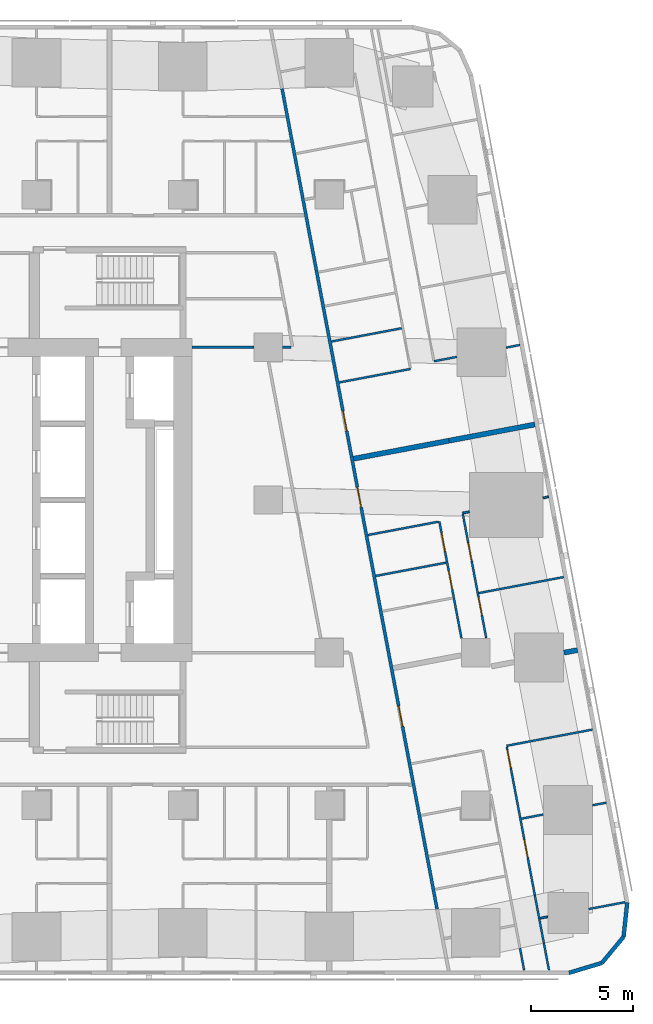
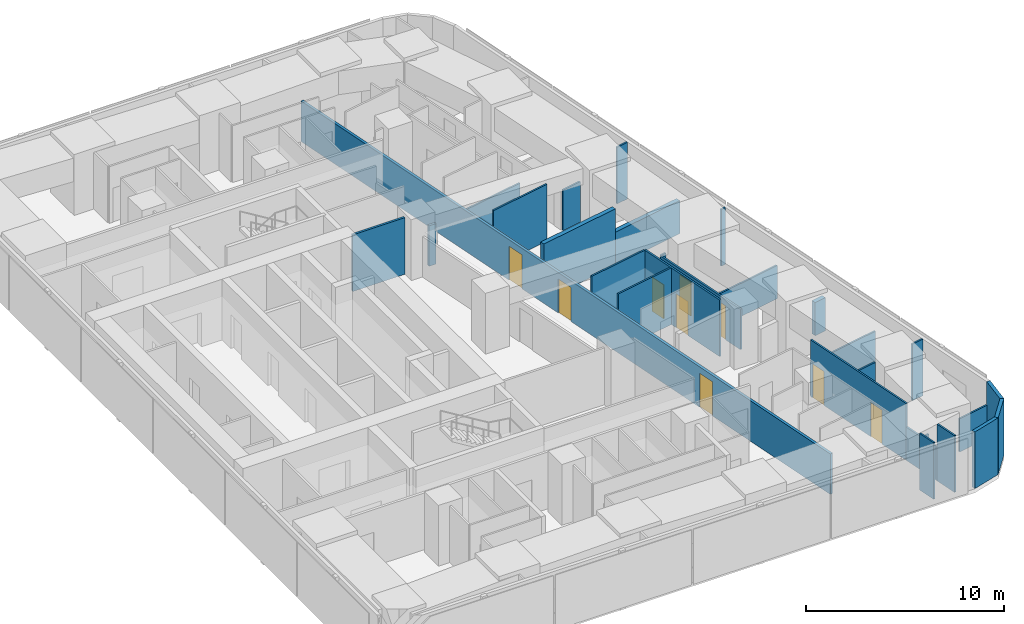
# One storey, part 5 of 10: 29 walls, 9 doors, 9 openings.
"""IFC4 building model written with IfcOpenShell, lengths in metres."""

from ifc_helpers import new_model, si_unit, direction, frame, frame_2d, origin, place, context, subcontext, project, spatial, rectangle, extrude, material, layer, layer_set, type_object, element, fill, save


model = new_model("IFC4")

# Units and contexts
model_context = context("Model", 3, precision=1e-05, world=origin(), true_north=direction((0.0, 1.0)))
body_context = subcontext(model_context, "Body", "Model", "MODEL_VIEW")
ifc_project = project(units=[si_unit("LENGTHUNIT", "METRE"), si_unit("AREAUNIT", "SQUARE_METRE"), si_unit("VOLUMEUNIT", "CUBIC_METRE"), si_unit("PLANEANGLEUNIT", "RADIAN"), si_unit("MASSUNIT", "GRAM", prefix="KILO")], contexts=[model_context])

# Site, building, storey
site_placement = place(None, origin())
site = spatial("IfcSite", under=ifc_project, at=site_placement, CompositionType="ELEMENT")
building_placement = place(site_placement, origin())
building = spatial("IfcBuilding", under=site, at=building_placement, Name="Sheger Commons Tower", CompositionType="ELEMENT")
storey_placement = place(building_placement, frame((0.0, 0.0, 227.449951171875)))
storey = spatial("IfcBuildingStorey", under=building, at=storey_placement, Name="L58", CompositionType="ELEMENT", Elevation=227.449951171875)

# Wall, openings, doors
ifc_material_1 = material(Name="Hollow concrete block masonry, skimmed both sides", Category="masonry")
ifc_layer_1 = layer(ifc_material_1, 0.14990234375)
ifc_layer_set_1 = layer_set([ifc_layer_1], Name="CORRIDOR WALL 150")
wall_type_1 = type_object("IfcWallType", Name="CORRIDOR WALL 150", PredefinedType="SOLIDWALL", material=ifc_layer_set_1)
wall_1_placement = place(storey_placement, frame((33.679931640625, 42.722900390625, 0.0), z_axis=(0.0, 0.0, 1.0), x_axis=(0.185601160014, -0.982625162207, 0.0)))
wall_1 = element("IfcWall", 1, at=wall_1_placement, inside=storey, type_object=wall_type_1, Name="Corridor wall L58", PredefinedType="SOLIDWALL", context=body_context, shape_type="SweptSolid", body=[
    extrude(rectangle(XDim=41.05126953125, YDim=0.14990234375, at=frame_2d((20.525634765625, 0.0))), origin(), (0.0, 0.0, 1.0), 2.5),
])
opening_1_placement = place(wall_1_placement, frame((16.123046875, 0.0, 0.0)))
opening_1 = element("IfcOpeningElement", 2, at=opening_1_placement, cuts=wall_1, Name="Opening D1", PredefinedType="OPENING", context=body_context, shape_type="SweptSolid", body=[
    extrude(rectangle(XDim=1.0, YDim=2.10009765625, at=frame_2d((0.5, 1.050048828125))), frame((0.0, 0.0849609375, 0.0), z_axis=(0.0, -1.0, 0.0), x_axis=(1.0, 0.0, 0.0)), (0.0, 0.0, 1.0), 0.169921875),
])
opening_2_placement = place(wall_1_placement, frame((19.93798828125, 0.0, 0.0)))
opening_2 = element("IfcOpeningElement", 3, at=opening_2_placement, cuts=wall_1, Name="Opening D1", PredefinedType="OPENING", context=body_context, shape_type="SweptSolid", body=[
    extrude(rectangle(XDim=1.0, YDim=2.10009765625, at=frame_2d((0.5, 1.050048828125))), frame((0.0, 0.0849609375, 0.0), z_axis=(0.0, -1.0, 0.0), x_axis=(1.0, 0.0, 0.0)), (0.0, 0.0, 1.0), 0.169921875),
])
opening_3_placement = place(wall_1_placement, frame((30.902099609375, 0.0, 0.0)))
opening_3 = element("IfcOpeningElement", 4, at=opening_3_placement, cuts=wall_1, Name="Opening D1", PredefinedType="OPENING", context=body_context, shape_type="SweptSolid", body=[
    extrude(rectangle(XDim=1.0, YDim=2.10009765625, at=frame_2d((0.5, 1.050048828125))), frame((0.0, 0.0849609375, 0.0), z_axis=(0.0, -1.0, 0.0), x_axis=(1.0, 0.0, 0.0)), (0.0, 0.0, 1.0), 0.169921875),
])
ifc_material_2 = material(Name="Steel door set, fire rated", Category="steel")
door_type_1 = type_object("IfcDoorType", Name="FLAT ENTRANCE DOOR 1000x2100", OperationType="NOTDEFINED", PredefinedType="DOOR", material=ifc_material_2)
door_1_placement = place(opening_1_placement, origin())
door_1 = element("IfcDoor", 5, at=door_1_placement, inside=storey, type_object=door_type_1, Name="Flat entrance door", OperationType="SINGLE_SWING_RIGHT", OverallHeight=2.10009765625, OverallWidth=1.0, PredefinedType="DOOR", context=body_context, shape_type="SweptSolid", body=[
    extrude(rectangle(XDim=1.0, YDim=2.10009765625, at=frame_2d((0.5, 1.050048828125))), frame((0.0, 0.02490234375, 0.0), z_axis=(0.0, -1.0, 0.0), x_axis=(1.0, 0.0, 0.0)), (0.0, 0.0, 1.0), 0.050048828125),
])
fill(opening_1, door_1)
door_2_placement = place(opening_2_placement, origin())
door_2 = element("IfcDoor", 6, at=door_2_placement, inside=storey, type_object=door_type_1, Name="Flat entrance door", OperationType="SINGLE_SWING_LEFT", OverallHeight=2.10009765625, OverallWidth=1.0, PredefinedType="DOOR", context=body_context, shape_type="SweptSolid", body=[
    extrude(rectangle(XDim=1.0, YDim=2.10009765625, at=frame_2d((0.5, 1.050048828125))), frame((0.0, 0.02490234375, 0.0), z_axis=(0.0, -1.0, 0.0), x_axis=(1.0, 0.0, 0.0)), (0.0, 0.0, 1.0), 0.050048828125),
])
fill(opening_2, door_2)
door_3_placement = place(opening_3_placement, origin())
door_3 = element("IfcDoor", 7, at=door_3_placement, inside=storey, type_object=door_type_1, Name="Flat entrance door", OperationType="SINGLE_SWING_LEFT", OverallHeight=2.10009765625, OverallWidth=1.0, PredefinedType="DOOR", context=body_context, shape_type="SweptSolid", body=[
    extrude(rectangle(XDim=1.0, YDim=2.10009765625, at=frame_2d((0.5, 1.050048828125))), frame((0.0, 0.02490234375, 0.0), z_axis=(0.0, -1.0, 0.0), x_axis=(1.0, 0.0, 0.0)), (0.0, 0.0, 1.0), 0.050048828125),
])
fill(opening_3, door_3)

# Walls
ifc_material_3 = material(Name="Dense concrete block masonry, plastered both sides (separating wall between flats)", Category="masonry")
ifc_layer_2 = layer(ifc_material_3, 0.25)
ifc_layer_set_2 = layer_set([ifc_layer_2], Name="DEMISING WALL 250")
wall_type_2 = type_object("IfcWallType", Name="DEMISING WALL 250", PredefinedType="SOLIDWALL", material=ifc_layer_set_2)
wall_2_placement = place(storey_placement, frame((46.110107421875, 26.212890625, 0.0), z_axis=(0.0, 0.0, 1.0), x_axis=(-0.982633535512, -0.185556823879, 0.0)))
element("IfcWall", 8, at=wall_2_placement, inside=storey, type_object=wall_type_2, Name="Demising wall L58", PredefinedType="SOLIDWALL", context=body_context, shape_type="SweptSolid", body=[
    extrude(rectangle(XDim=4.2998046875, YDim=0.25, at=frame_2d((2.14990234375, 0.0))), origin(), (0.0, 0.0, 1.0), 2.050048828125),
])
wall_3_placement = place(storey_placement, frame((41.885009765625, 25.4150390625, 0.0), z_axis=(0.0, 0.0, 1.0), x_axis=(-0.982596737686, -0.185751584349, 0.0)))
element("IfcWall", 9, at=wall_3_placement, inside=storey, type_object=wall_type_2, Name="Demising wall L58", PredefinedType="SOLIDWALL", context=body_context, shape_type="SweptSolid", body=[
    extrude(rectangle(XDim=4.77490234375, YDim=0.25, at=frame_2d((2.387451171875, 0.0))), origin(), (0.0, 0.0, 1.0), 3.5),
])
wall_4_placement = place(storey_placement, frame((48.2060546875, 15.1201171875, 0.0), z_axis=(0.0, 0.0, 1.0), x_axis=(-0.982610999048, -0.18567612811, 0.0)))
element("IfcWall", 10, at=wall_4_placement, inside=storey, type_object=wall_type_2, Name="Demising wall L58", PredefinedType="SOLIDWALL", context=body_context, shape_type="SweptSolid", body=[
    extrude(rectangle(XDim=0.6796875, YDim=0.25, at=frame_2d((0.33984375, 0.0))), origin(), (0.0, 0.0, 1.0), 2.050048828125),
])
ifc_material_4 = material(Name="Rendered concrete block masonry, dark grey", Category="masonry")
ifc_layer_3 = layer(ifc_material_4, 0.199951171875)
ifc_layer_set_3 = layer_set([ifc_layer_3], Name="FACADE WALL 200")
wall_type_3 = type_object("IfcWallType", Name="FACADE WALL 200", PredefinedType="SOLIDWALL", material=ifc_layer_set_3)
wall_5_placement = place(storey_placement, frame((47.791015625, -0.75, 0.0), z_axis=(0.0, 0.0, 1.0), x_axis=(0.957455232626, 0.288581838509, 0.0)))
element("IfcWall", 11, at=wall_5_placement, inside=storey, type_object=wall_type_3, Name="Facade wall L58", PredefinedType="SOLIDWALL", context=body_context, shape_type="SweptSolid", body=[
    extrude(rectangle(XDim=1.687744140625, YDim=0.199951171875, at=frame_2d((0.84375, 0.0))), origin(), (0.0, 0.0, 1.0), 3.5),
])
wall_6_placement = place(storey_placement, frame((49.406982421875, -0.262939453125, 0.0), z_axis=(0.0, 0.0, 1.0), x_axis=(0.638042593423, 0.770001070764, 0.0)))
element("IfcWall", 12, at=wall_6_placement, inside=storey, type_object=wall_type_3, Name="Facade wall L58", PredefinedType="SOLIDWALL", context=body_context, shape_type="SweptSolid", body=[
    extrude(rectangle(XDim=1.672607421875, YDim=0.199951171875, at=frame_2d((0.83642578125, 0.0))), origin(), (0.0, 0.0, 1.0), 3.5),
])
wall_7_placement = place(storey_placement, frame((50.47412109375, 1.02490234375, 0.0), z_axis=(0.0, 0.0, 1.0), x_axis=(0.106047815515, 0.994361031429, 0.0)))
element("IfcWall", 13, at=wall_7_placement, inside=storey, type_object=wall_type_3, Name="Facade wall L58", PredefinedType="SOLIDWALL", context=body_context, shape_type="SweptSolid", body=[
    extrude(rectangle(XDim=1.6875, YDim=0.199951171875, at=frame_2d((0.84375, 0.0))), origin(), (0.0, 0.0, 1.0), 3.5),
])
ifc_material_5 = material(Name="Gypsum board on steel studs", Category="steel")
ifc_layer_4 = layer(ifc_material_5, 0.10009765625)
ifc_layer_set_4 = layer_set([ifc_layer_4], Name="PARTITION 100")
wall_type_4 = type_object("IfcWallType", Name="PARTITION 100", PredefinedType="PARTITIONING", material=ifc_layer_set_4)
wall_8_placement = place(storey_placement, frame((45.3720703125, 30.12109375, 0.0), z_axis=(0.0, 0.0, 1.0), x_axis=(-0.98254419619, -0.186029305578, 0.0)))
element("IfcWall", 14, at=wall_8_placement, inside=storey, type_object=wall_type_4, Name="Partition L58", PredefinedType="PARTITIONING", context=body_context, shape_type="SweptSolid", body=[
    extrude(rectangle(XDim=0.6943359375, YDim=0.10009765625, at=frame_2d((0.34716796875, 0.0))), origin(), (0.0, 0.0, 1.0), 3.5),
])
wall_9_placement = place(storey_placement, frame((42.27001953125, 29.534912109375, 0.0), z_axis=(0.0, 0.0, 1.0), x_axis=(-0.982502700549, -0.186248338017, 0.0)))
element("IfcWall", 15, at=wall_9_placement, inside=storey, type_object=wall_type_4, Name="Partition L58", PredefinedType="PARTITIONING", context=body_context, shape_type="SweptSolid", body=[
    extrude(rectangle(XDim=1.14306640625, YDim=0.10009765625, at=frame_2d((0.571533203125, 0.0))), origin(), (0.0, 0.0, 1.0), 2.5),
])
wall_10_placement = place(storey_placement, frame((39.9970703125, 28.94189453125, 0.0), z_axis=(0.0, 0.0, 1.0), x_axis=(-0.982613029841, -0.185665380691, 0.0)))
element("IfcWall", 16, at=wall_10_placement, inside=storey, type_object=wall_type_4, Name="Partition L58", PredefinedType="PARTITIONING", context=body_context, shape_type="SweptSolid", body=[
    extrude(rectangle(XDim=3.575439453125, YDim=0.10009765625, at=frame_2d((1.78759765625, 0.0))), origin(), (0.0, 0.0, 1.0), 3.5),
])
wall_11_placement = place(storey_placement, frame((39.56689453125, 30.947021484375, 0.0), z_axis=(0.0, 0.0, 1.0), x_axis=(-0.982576058723, -0.185860939478, 0.0)))
element("IfcWall", 17, at=wall_11_placement, inside=storey, type_object=wall_type_4, Name="Partition L58", PredefinedType="PARTITIONING", context=body_context, shape_type="SweptSolid", body=[
    extrude(rectangle(XDim=3.5244140625, YDim=0.10009765625, at=frame_2d((1.76220703125, 0.0))), origin(), (0.0, 0.0, 1.0), 2.5),
])

# Wall, openings, doors
wall_12_placement = place(storey_placement, frame((42.56591796875, 21.80908203125, 0.0), z_axis=(0.0, 0.0, 1.0), x_axis=(0.185613526435, -0.98262282632, 0.0)))
wall_12 = element("IfcWall", 18, at=wall_12_placement, inside=storey, type_object=wall_type_4, Name="Partition L58", PredefinedType="PARTITIONING", context=body_context, shape_type="SweptSolid", body=[
    extrude(rectangle(XDim=6.20703125, YDim=0.10009765625, at=frame_2d((3.103515625, 0.0))), origin(), (0.0, 0.0, 1.0), 2.5),
])
opening_4_placement = place(wall_12_placement, frame((1.449951171875, 0.0, 0.0)))
opening_4 = element("IfcOpeningElement", 19, at=opening_4_placement, cuts=wall_12, Name="Opening D2", PredefinedType="OPENING", context=body_context, shape_type="SweptSolid", body=[
    extrude(rectangle(XDim=0.89990234375, YDim=2.10009765625, at=frame_2d((0.449951171875, 1.050048828125))), frame((0.0, 0.06005859375, 0.0), z_axis=(0.0, -1.0, 0.0), x_axis=(1.0, 0.0, 0.0)), (0.0, 0.0, 1.0), 0.1201171875),
])
opening_5_placement = place(wall_12_placement, frame((4.1630859375, 0.0, 0.0)))
opening_5 = element("IfcOpeningElement", 20, at=opening_5_placement, cuts=wall_12, Name="Opening D2", PredefinedType="OPENING", context=body_context, shape_type="SweptSolid", body=[
    extrude(rectangle(XDim=0.89990234375, YDim=2.10009765625, at=frame_2d((0.449951171875, 1.050048828125))), frame((0.0, 0.06005859375, 0.0), z_axis=(0.0, -1.0, 0.0), x_axis=(1.0, 0.0, 0.0)), (0.0, 0.0, 1.0), 0.1201171875),
])
ifc_material_6 = material(Name="Timber door set", Category="wood")
door_type_2 = type_object("IfcDoorType", Name="INTERNAL DOOR 900x2100", OperationType="NOTDEFINED", PredefinedType="DOOR", material=ifc_material_6)
door_4_placement = place(opening_4_placement, origin())
door_4 = element("IfcDoor", 21, at=door_4_placement, inside=storey, type_object=door_type_2, Name="Main bedroom door", OperationType="SINGLE_SWING_LEFT", OverallHeight=2.10009765625, OverallWidth=0.89990234375, PredefinedType="DOOR", context=body_context, shape_type="SweptSolid", body=[
    extrude(rectangle(XDim=0.89990234375, YDim=2.10009765625, at=frame_2d((0.449951171875, 1.050048828125))), frame((0.0, 0.02490234375, 0.0), z_axis=(0.0, -1.0, 0.0), x_axis=(1.0, 0.0, 0.0)), (0.0, 0.0, 1.0), 0.050048828125),
])
fill(opening_4, door_4)
door_5_placement = place(opening_5_placement, origin())
door_5 = element("IfcDoor", 22, at=door_5_placement, inside=storey, type_object=door_type_2, Name="Bedroom 2 door", OperationType="SINGLE_SWING_LEFT", OverallHeight=2.10009765625, OverallWidth=0.89990234375, PredefinedType="DOOR", context=body_context, shape_type="SweptSolid", body=[
    extrude(rectangle(XDim=0.89990234375, YDim=2.10009765625, at=frame_2d((0.449951171875, 1.050048828125))), frame((0.0, 0.02490234375, 0.0), z_axis=(0.0, -1.0, 0.0), x_axis=(1.0, 0.0, 0.0)), (0.0, 0.0, 1.0), 0.050048828125),
])
fill(opening_5, door_5)

wall_13_placement = place(storey_placement, frame((41.4140625, 21.44189453125, 0.0), z_axis=(0.0, 0.0, 1.0), x_axis=(0.185698675093, -0.982606738257, 0.0)))
wall_13 = element("IfcWall", 23, at=wall_13_placement, inside=storey, type_object=wall_type_4, Name="Partition L58", PredefinedType="PARTITIONING", context=body_context, shape_type="SweptSolid", body=[
    extrude(rectangle(XDim=5.842529296875, YDim=0.10009765625, at=frame_2d((2.92138671875, 0.0))), origin(), (0.0, 0.0, 1.0), 3.5),
])
opening_6_placement = place(wall_13_placement, frame((0.574951171875, 0.0, 0.0)))
opening_6 = element("IfcOpeningElement", 24, at=opening_6_placement, cuts=wall_13, Name="Opening D2", PredefinedType="OPENING", context=body_context, shape_type="SweptSolid", body=[
    extrude(rectangle(XDim=0.89990234375, YDim=2.10009765625, at=frame_2d((0.449951171875, 1.050048828125))), frame((0.0, 0.06005859375, 0.0), z_axis=(0.0, -1.0, 0.0), x_axis=(1.0, 0.0, 0.0)), (0.0, 0.0, 1.0), 0.1201171875),
])
opening_7_placement = place(wall_13_placement, frame((2.48291015625, 0.0, 0.0)))
opening_7 = element("IfcOpeningElement", 25, at=opening_7_placement, cuts=wall_13, Name="Opening D2", PredefinedType="OPENING", context=body_context, shape_type="SweptSolid", body=[
    extrude(rectangle(XDim=0.89990234375, YDim=2.10009765625, at=frame_2d((0.449951171875, 1.050048828125))), frame((0.0, 0.06005859375, 0.0), z_axis=(0.0, -1.0, 0.0), x_axis=(1.0, 0.0, 0.0)), (0.0, 0.0, 1.0), 0.1201171875),
])
door_6_placement = place(opening_6_placement, origin())
door_6 = element("IfcDoor", 26, at=door_6_placement, inside=storey, type_object=door_type_2, Name="Bathroom door", OperationType="SINGLE_SWING_RIGHT", OverallHeight=2.10009765625, OverallWidth=0.89990234375, PredefinedType="DOOR", context=body_context, shape_type="SweptSolid", body=[
    extrude(rectangle(XDim=0.89990234375, YDim=2.10009765625, at=frame_2d((0.449951171875, 1.050048828125))), frame((0.0, 0.02490234375, 0.0), z_axis=(0.0, -1.0, 0.0), x_axis=(1.0, 0.0, 0.0)), (0.0, 0.0, 1.0), 0.050048828125),
])
fill(opening_6, door_6)
door_7_placement = place(opening_7_placement, origin())
door_7 = element("IfcDoor", 27, at=door_7_placement, inside=storey, type_object=door_type_2, Name="Store door", OperationType="SINGLE_SWING_LEFT", OverallHeight=2.10009765625, OverallWidth=0.89990234375, PredefinedType="DOOR", context=body_context, shape_type="SweptSolid", body=[
    extrude(rectangle(XDim=0.89990234375, YDim=2.10009765625, at=frame_2d((0.449951171875, 1.050048828125))), frame((0.0, 0.02490234375, 0.0), z_axis=(0.0, -1.0, 0.0), x_axis=(1.0, 0.0, 0.0)), (0.0, 0.0, 1.0), 0.050048828125),
])
fill(opening_7, door_7)

# Walls
wall_14_placement = place(storey_placement, frame((46.781982421875, 22.656982421875, 0.0), z_axis=(0.0, 0.0, 1.0), x_axis=(-0.982574553168, -0.185868898601, 0.0)))
element("IfcWall", 28, at=wall_14_placement, inside=storey, type_object=wall_type_4, Name="Partition L58", PredefinedType="PARTITIONING", context=body_context, shape_type="SweptSolid", body=[
    extrude(rectangle(XDim=0.27978515625, YDim=0.10009765625, at=frame_2d((0.139892578125, 0.0))), origin(), (0.0, 0.0, 1.0), 3.5),
])
wall_15_placement = place(storey_placement, frame((42.886962890625, 21.9208984375, 0.0), z_axis=(0.0, 0.0, 1.0), x_axis=(-0.982274918032, -0.187445953293, 0.0)))
element("IfcWall", 29, at=wall_15_placement, inside=storey, type_object=wall_type_4, Name="Partition L58", PredefinedType="PARTITIONING", context=body_context, shape_type="SweptSolid", body=[
    extrude(rectangle(XDim=0.3359375, YDim=0.10009765625, at=frame_2d((0.16796875, 0.0))), origin(), (0.0, 0.0, 1.0), 2.5),
])
wall_16_placement = place(storey_placement, frame((47.527099609375, 18.7119140625, 0.0), z_axis=(0.0, 0.0, 1.0), x_axis=(-0.982665405803, -0.185387972203, 0.0)))
element("IfcWall", 30, at=wall_16_placement, inside=storey, type_object=wall_type_4, Name="Partition L58", PredefinedType="PARTITIONING", context=body_context, shape_type="SweptSolid", body=[
    extrude(rectangle(XDim=4.249755859375, YDim=0.10009765625, at=frame_2d((2.125, 0.0))), origin(), (0.0, 0.0, 1.0), 2.050048828125),
])
for number, where, z_axis, x_axis, name in (
    (31, (41.364990234375, 21.43310546875, 0.0), (0.0, 0.0, 1.0), (-0.982638553676, -0.185530247748, 0.0), "Partition L58"),
    (32, (41.7451171875, 19.41796875, 0.0), (0.0, 0.0, 1.0), (-0.982638553676, -0.185530247748, 0.0), "Partition L58"),
):
    element("IfcWall", number, at=place(storey_placement, frame(where, z_axis=z_axis, x_axis=x_axis)), inside=storey, type_object=wall_type_4, Name=name, PredefinedType="PARTITIONING", context=body_context, shape_type="SweptSolid", body=[
        extrude(rectangle(XDim=3.525390625, YDim=0.10009765625, at=frame_2d((1.7626953125, 0.0))), origin(), (0.0, 0.0, 1.0), 3.5),
    ])

# Wall, openings, doors
wall_17_placement = place(storey_placement, frame((44.72705078125, 10.365966796875, 0.0), z_axis=(0.0, 0.0, 1.0), x_axis=(0.185678775129, -0.982610498858, 0.0)))
wall_17 = element("IfcWall", 33, at=wall_17_placement, inside=storey, type_object=wall_type_4, Name="Partition L58", PredefinedType="PARTITIONING", context=body_context, shape_type="SweptSolid", body=[
    extrude(rectangle(XDim=7.421142578125, YDim=0.10009765625, at=frame_2d((3.71044921875, 0.0))), origin(), (0.0, 0.0, 1.0), 3.5),
])
opening_8_placement = place(wall_17_placement, frame((0.15087890625, 0.0, 0.0)))
opening_8 = element("IfcOpeningElement", 34, at=opening_8_placement, cuts=wall_17, Name="Opening D2", PredefinedType="OPENING", context=body_context, shape_type="SweptSolid", body=[
    extrude(rectangle(XDim=0.89990234375, YDim=2.10009765625, at=frame_2d((0.449951171875, 1.050048828125))), frame((0.0, 0.06005859375, 0.0), z_axis=(0.0, -1.0, 0.0), x_axis=(1.0, 0.0, 0.0)), (0.0, 0.0, 1.0), 0.1201171875),
])
opening_9_placement = place(wall_17_placement, frame((4.64990234375, 0.0, 0.0)))
opening_9 = element("IfcOpeningElement", 35, at=opening_9_placement, cuts=wall_17, Name="Opening D2", PredefinedType="OPENING", context=body_context, shape_type="SweptSolid", body=[
    extrude(rectangle(XDim=0.89990234375, YDim=2.10009765625, at=frame_2d((0.449951171875, 1.050048828125))), frame((0.0, 0.06005859375, 0.0), z_axis=(0.0, -1.0, 0.0), x_axis=(1.0, 0.0, 0.0)), (0.0, 0.0, 1.0), 0.1201171875),
])
door_8_placement = place(opening_8_placement, origin())
door_8 = element("IfcDoor", 36, at=door_8_placement, inside=storey, type_object=door_type_2, Name="Main bedroom door", OperationType="SINGLE_SWING_LEFT", OverallHeight=2.10009765625, OverallWidth=0.89990234375, PredefinedType="DOOR", context=body_context, shape_type="SweptSolid", body=[
    extrude(rectangle(XDim=0.89990234375, YDim=2.10009765625, at=frame_2d((0.449951171875, 1.050048828125))), frame((0.0, 0.02490234375, 0.0), z_axis=(0.0, -1.0, 0.0), x_axis=(1.0, 0.0, 0.0)), (0.0, 0.0, 1.0), 0.050048828125),
])
fill(opening_8, door_8)
door_9_placement = place(opening_9_placement, origin())
door_9 = element("IfcDoor", 37, at=door_9_placement, inside=storey, type_object=door_type_2, Name="Bedroom 2 door", OperationType="SINGLE_SWING_LEFT", OverallHeight=2.10009765625, OverallWidth=0.89990234375, PredefinedType="DOOR", context=body_context, shape_type="SweptSolid", body=[
    extrude(rectangle(XDim=0.89990234375, YDim=2.10009765625, at=frame_2d((0.449951171875, 1.050048828125))), frame((0.0, 0.02490234375, 0.0), z_axis=(0.0, -1.0, 0.0), x_axis=(1.0, 0.0, 0.0)), (0.0, 0.0, 1.0), 0.050048828125),
])
fill(opening_9, door_9)

# Walls
wall_18_placement = place(storey_placement, frame((46.10498046875, 3.073974609375, 0.0), z_axis=(0.0, 0.0, 1.0), x_axis=(0.185631845838, -0.982619365681, 0.0)))
element("IfcWall", 38, at=wall_18_placement, inside=storey, type_object=wall_type_4, Name="Partition L58", PredefinedType="PARTITIONING", context=body_context, shape_type="SweptSolid", body=[
    extrude(rectangle(XDim=2.40283203125, YDim=0.10009765625, at=frame_2d((1.201416015625, 0.0))), origin(), (0.0, 0.0, 1.0), 2.050048828125),
])
wall_19_placement = place(storey_placement, frame((46.551025390625, 0.712890625, 0.0), z_axis=(0.0, 0.0, 1.0), x_axis=(0.185407859198, -0.982661653748, 0.0)))
element("IfcWall", 39, at=wall_19_placement, inside=storey, type_object=wall_type_4, Name="Partition L58", PredefinedType="PARTITIONING", context=body_context, shape_type="SweptSolid", body=[
    extrude(rectangle(XDim=1.343017578125, YDim=0.10009765625, at=frame_2d((0.67138671875, 0.0))), origin(), (0.0, 0.0, 1.0), 3.5),
])
wall_20_placement = place(storey_placement, frame((45.376953125, 0.4619140625, 0.0), z_axis=(0.0, 0.0, 1.0), x_axis=(0.185513480919, -0.982641719243, 0.0)))
element("IfcWall", 40, at=wall_20_placement, inside=storey, type_object=wall_type_4, Name="Partition L58", PredefinedType="PARTITIONING", context=body_context, shape_type="SweptSolid", body=[
    extrude(rectangle(XDim=1.094970703125, YDim=0.10009765625, at=frame_2d((0.54736328125, 0.0))), origin(), (0.0, 0.0, 1.0), 3.5),
])
wall_21_placement = place(storey_placement, frame((48.943115234375, 11.212890625, 0.0), z_axis=(0.0, 0.0, 1.0), x_axis=(-0.982633535512, -0.185556823879, 0.0)))
element("IfcWall", 41, at=wall_21_placement, inside=storey, type_object=wall_type_4, Name="Partition L58", PredefinedType="PARTITIONING", context=body_context, shape_type="SweptSolid", body=[
    extrude(rectangle(XDim=4.2998046875, YDim=0.10009765625, at=frame_2d((2.14990234375, 0.0))), origin(), (0.0, 0.0, 1.0), 2.050048828125),
])
wall_22_placement = place(storey_placement, frame((49.6220703125, 7.6201171875, 0.0), z_axis=(0.0, 0.0, 1.0), x_axis=(-0.98254419619, -0.186029305578, 0.0)))
element("IfcWall", 42, at=wall_22_placement, inside=storey, type_object=wall_type_4, Name="Partition L58", PredefinedType="PARTITIONING", context=body_context, shape_type="SweptSolid", body=[
    extrude(rectangle(XDim=0.6943359375, YDim=0.10009765625, at=frame_2d((0.34716796875, 0.0))), origin(), (0.0, 0.0, 1.0), 3.5),
])
wall_23_placement = place(storey_placement, frame((46.52001953125, 7.034912109375, 0.0), z_axis=(0.0, 0.0, 1.0), x_axis=(-0.982620932907, -0.185623549726, 0.0)))
element("IfcWall", 43, at=wall_23_placement, inside=storey, type_object=wall_type_4, Name="Partition L58", PredefinedType="PARTITIONING", context=body_context, shape_type="SweptSolid", body=[
    extrude(rectangle(XDim=1.093017578125, YDim=0.10009765625, at=frame_2d((0.54638671875, 0.0))), origin(), (0.0, 0.0, 1.0), 3.5),
])
wall_24_placement = place(storey_placement, frame((50.547119140625, 2.72607421875, 0.0), z_axis=(0.0, 0.0, 1.0), x_axis=(-0.982603988143, -0.185713226471, 0.0)))
element("IfcWall", 44, at=wall_24_placement, inside=storey, type_object=wall_type_4, Name="Partition L58", PredefinedType="PARTITIONING", context=body_context, shape_type="SweptSolid", body=[
    extrude(rectangle(XDim=1.82080078125, YDim=0.10009765625, at=frame_2d((0.910400390625, 0.0))), origin(), (0.0, 0.0, 1.0), 2.050048828125),
])
wall_25_placement = place(storey_placement, frame((46.738037109375, 2.006103515625, 0.0), z_axis=(0.0, 0.0, 1.0), x_axis=(-0.982820466874, -0.184564161994, 0.0)))
element("IfcWall", 45, at=wall_25_placement, inside=storey, type_object=wall_type_4, Name="Partition L58", PredefinedType="PARTITIONING", context=body_context, shape_type="SweptSolid", body=[
    extrude(rectangle(XDim=0.374267578125, YDim=0.10009765625, at=frame_2d((0.18701171875, 0.0))), origin(), (0.0, 0.0, 1.0), 2.050048828125),
])
ifc_material_7 = material(Name="Gypsum board on steel studs, two layers each side, fire rated", Category="steel")
ifc_layer_5 = layer(ifc_material_7, 0.125)
ifc_layer_set_5 = layer_set([ifc_layer_5], Name="SERVICE WALL 125")
wall_type_5 = type_object("IfcWallType", Name="SERVICE WALL 125", PredefinedType="PARTITIONING", material=ifc_layer_set_5)
wall_26_placement = place(storey_placement, frame((29.25, 30.0, 0.0), z_axis=(0.0, 0.0, 1.0), x_axis=(1.0, 0.0, 0.0)))
element("IfcWall", 46, at=wall_26_placement, inside=storey, type_object=wall_type_5, Name="Service room wall L58", PredefinedType="PARTITIONING", context=body_context, shape_type="SweptSolid", body=[
    extrude(rectangle(XDim=3.049072265625, YDim=0.125, at=frame_2d((1.5244140625, 0.0))), origin(), (0.0, 0.0, 1.0), 3.5),
])
wall_27_placement = place(storey_placement, frame((33.700927734375, 30.0, 0.0), z_axis=(0.0, 0.0, 1.0), x_axis=(1.0, 0.0, 0.0)))
element("IfcWall", 47, at=wall_27_placement, inside=storey, type_object=wall_type_5, Name="Service room wall L58", PredefinedType="PARTITIONING", context=body_context, shape_type="SweptSolid", body=[
    extrude(rectangle(XDim=0.424072265625, YDim=0.125, at=frame_2d((0.2119140625, 0.0))), origin(), (0.0, 0.0, 1.0), 2.5),
])

save(model, "model.ifc")
